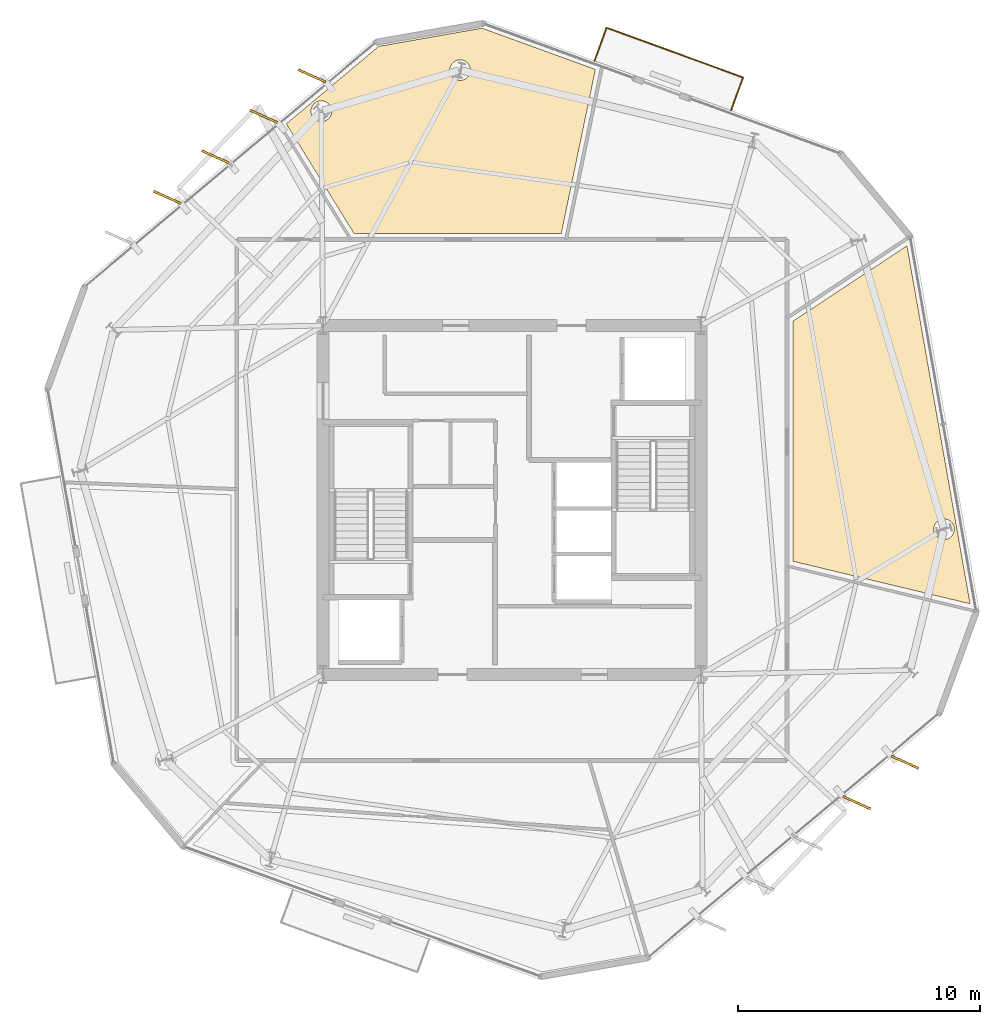
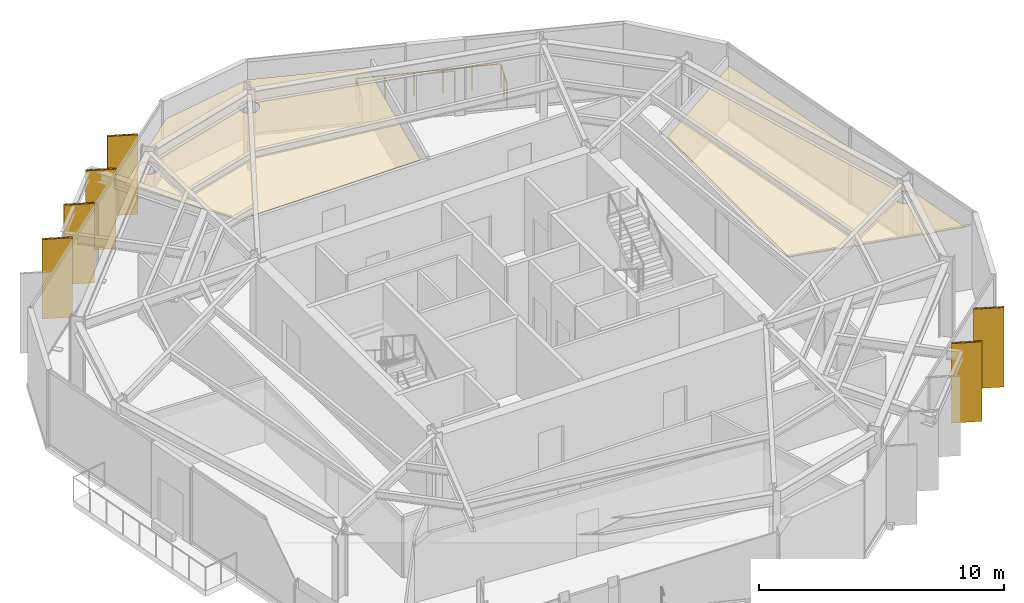
# One storey, part 11 of 11: 8 coverings, 6 shading devices, 1 railing.
"""IFC4 building model written with IfcOpenShell, lengths in metres."""

import ifcopenshell
import ifcopenshell.guid

model = None  # the IFC model being written
_history = None  # IfcOwnerHistory: only IFC2X3 demands one
_inside = {}  # id of a spatial element -> (the spatial element, [elements in it])
_under = {}  # id of a project, library or spatial element -> (it, [spatial elements below it])
_declared = {}  # id of a project -> (the project, [libraries it declares])
_typed = {}  # id of a type object -> (the type object, [elements of that type])
_made_of = {}  # id of a material, layer set ... -> (it, [elements and type objects made of it])


def new_model(schema):
    """Start an empty IFC model of exactly this schema.

    Asked for "IFC4X3", IfcOpenShell would pick the latest addendum, in which some entities
    have other attributes; the version numbers below select the first issue.
    IFC2X3 requires an IfcOwnerHistory on every rooted entity: one is made here for all.
    """
    global model, _history
    if schema == "IFC4X3":
        model = ifcopenshell.file(schema_version=(4, 3, 0, 0))
    else:
        model = ifcopenshell.file(schema=schema)
    _inside.clear()
    _under.clear()
    _declared.clear()
    _typed.clear()
    _made_of.clear()
    _history = None
    if model.schema == "IFC2X3":
        org = make("IfcOrganization", Name="unknown")
        user = make(
            "IfcPersonAndOrganization",
            ThePerson=make("IfcPerson", FamilyName="unknown"),
            TheOrganization=org,
        )
        app = make(
            "IfcApplication",
            ApplicationDeveloper=org,
            Version="unknown",
            ApplicationFullName="unknown",
            ApplicationIdentifier="unknown",
        )
        _history = make(
            "IfcOwnerHistory",
            OwningUser=user,
            OwningApplication=app,
            ChangeAction="ADDED",
            CreationDate=0,
        )
    return model


def make(cls, **values):
    """One entity of the class cls with the attributes given. An attribute that is None is left unset."""
    return model.create_entity(
        cls, **{name: value for name, value in values.items() if value is not None}
    )


def rooted(cls, **values):
    """An entity with a GlobalId (a new one), such as an element, a storey or a relation."""
    return make(cls, GlobalId=ifcopenshell.guid.new(), OwnerHistory=_history, **values)


def si_unit(unit_type, name, prefix=None):
    """IfcSIUnit, for example si_unit("LENGTHUNIT", "METRE", prefix="MILLI")."""
    return make("IfcSIUnit", UnitType=unit_type, Prefix=prefix, Name=name)


def assignment(units):
    """IfcUnitAssignment: the units of a project."""
    return None if units is None else make("IfcUnitAssignment", Units=units)


def point(xyz):
    """IfcCartesianPoint."""
    return None if xyz is None else make("IfcCartesianPoint", Coordinates=xyz)


def direction(xyz):
    """IfcDirection."""
    return None if xyz is None else make("IfcDirection", DirectionRatios=xyz)


def frame(location, z_axis=None, x_axis=None):
    """IfcAxis2Placement3D, a coordinate frame: its origin and axes. An axis left out is left unset."""
    return make(
        "IfcAxis2Placement3D",
        Location=point(location),
        Axis=direction(z_axis),
        RefDirection=direction(x_axis),
    )


def frame_2d(location, x_axis=None):
    """IfcAxis2Placement2D, a coordinate frame in the plane: its origin and x axis."""
    return make(
        "IfcAxis2Placement2D", Location=point(location), RefDirection=direction(x_axis)
    )


def origin():
    """The frame at (0, 0, 0) with its axes left unset."""
    return frame((0.0, 0.0, 0.0))


def origin_2d():
    """The frame at (0, 0) in the plane with its x axis left unset."""
    return frame_2d((0.0, 0.0))


def place(relative_to, where):
    """IfcLocalPlacement: puts the frame where relative to a parent placement (None: the world)."""
    return make(
        "IfcLocalPlacement", PlacementRelTo=relative_to, RelativePlacement=where
    )


def context(
    kind, dimensions, precision=None, world=None, true_north=None, identifier=None
):
    """IfcGeometricRepresentationContext, for example the 3D "Model" context."""
    return make(
        "IfcGeometricRepresentationContext",
        ContextIdentifier=identifier,
        ContextType=kind,
        CoordinateSpaceDimension=dimensions,
        Precision=precision,
        WorldCoordinateSystem=world,
        TrueNorth=true_north,
    )


def subcontext(parent, identifier, kind, view, scale=None):
    """IfcGeometricRepresentationSubContext, for example "Body" below "Model"."""
    return make(
        "IfcGeometricRepresentationSubContext",
        ContextIdentifier=identifier,
        ContextType=kind,
        ParentContext=parent,
        TargetScale=scale,
        TargetView=view,
    )


def project(units=None, contexts=None):
    """IfcProject with its units and contexts."""
    return rooted(
        "IfcProject",
        Name="project",
        RepresentationContexts=contexts,
        UnitsInContext=assignment(units),
    )


def spatial(cls, under=None, at=None, **own):
    """A site, building, storey or space (cls), placed at a placement, below another one or the project."""
    s = rooted(cls, ObjectPlacement=at, **own)
    if under is not None:
        _under.setdefault(under.id(), (under, []))[1].append(s)
    return s


def polyline(points):
    """IfcPolyline through the points."""
    return make("IfcPolyline", Points=[point(p) for p in points])


def profile(cls, at=None, kind="AREA", **sizes):
    """A parametric profile (cls). Its sizes go by their IFC names, for example OverallWidth=200.0."""
    return make(cls, ProfileType=kind, Position=at, **sizes)


def rectangle(**sizes):
    """IfcRectangleProfileDef."""
    return profile("IfcRectangleProfileDef", **sizes)


def circle(**sizes):
    """IfcCircleProfileDef."""
    return profile("IfcCircleProfileDef", **sizes)


def outline(outer, holes=None, kind="AREA"):
    """IfcArbitraryClosedProfileDef: a profile drawn as a closed curve; with holes, ...WithVoids."""
    if holes is None:
        return make("IfcArbitraryClosedProfileDef", ProfileType=kind, OuterCurve=outer)
    return make(
        "IfcArbitraryProfileDefWithVoids",
        ProfileType=kind,
        OuterCurve=outer,
        InnerCurves=holes,
    )


def extrude(swept, where, along, depth):
    """IfcExtrudedAreaSolid: the profile swept, set in the frame where, extruded along a direction by depth."""
    return make(
        "IfcExtrudedAreaSolid",
        SweptArea=swept,
        Position=where,
        ExtrudedDirection=direction(along),
        Depth=depth,
    )


def shape(context_of_items, identifier, shape_type, items):
    """IfcShapeRepresentation: the items that make up one representation, for example the "Body"."""
    return make(
        "IfcShapeRepresentation",
        ContextOfItems=context_of_items,
        RepresentationIdentifier=identifier,
        RepresentationType=shape_type,
        Items=items,
    )


def material(Name=None, Category=None):
    """IfcMaterial."""
    return make("IfcMaterial", Name=Name, Category=Category)


def layer(
    of_material, thickness, ventilated=None, Name=None, Category=None, Priority=None
):
    """IfcMaterialLayer: one layer of a wall or slab, of a material (None: an air gap)."""
    return make(
        "IfcMaterialLayer",
        Material=of_material,
        LayerThickness=thickness,
        IsVentilated=ventilated,
        Name=Name,
        Category=Category,
        Priority=Priority,
    )


def layer_set(layers, Name=None):
    """IfcMaterialLayerSet."""
    return make("IfcMaterialLayerSet", MaterialLayers=layers, LayerSetName=Name)


def made_of(thing, what):
    """Note that an element or type object is made of a material, layer set ...; save() writes the relation."""
    if what is not None:
        _made_of.setdefault(what.id(), (what, []))[1].append(thing)
    return thing


def type_object(cls, material=None, **own):
    """A type object (cls), such as IfcWallType, which elements share."""
    return made_of(rooted(cls, **own), material)


def element(
    cls,
    number,
    at=None,
    inside=None,
    cuts=None,
    type_object=None,
    material=None,
    context=None,
    identifier="Body",
    shape_type=None,
    held_by="IfcProductDefinitionShape",
    body=None,
    shapes=None,
    **own,
):
    """One element of the class cls, such as IfcWall. Its Tag is "e" and its number.

    at: its placement. inside: the storey or other place that contains it. cuts: it is an
    opening in that element (IfcRelVoidsElement). A single representation is given by context,
    identifier, shape_type and body (its items); several are given by shapes. held_by: the class
    of the entity that holds the representations. save() writes the other relations.
    """
    e = rooted(cls, Tag="e%d" % number, ObjectPlacement=at, **own)
    if body is not None:
        shapes = [shape(context, identifier, shape_type, body)]
    if shapes is not None:
        e.Representation = make(held_by, Representations=shapes)
    if inside is not None:
        _inside.setdefault(inside.id(), (inside, []))[1].append(e)
    if cuts is not None:
        rooted(
            "IfcRelVoidsElement", RelatingBuildingElement=cuts, RelatedOpeningElement=e
        )
    if type_object is not None:
        _typed.setdefault(type_object.id(), (type_object, []))[1].append(e)
    return made_of(e, material)


def aggregate(whole, parts):
    """IfcRelAggregates: a whole, such as a stair, and the parts it consists of."""
    return rooted("IfcRelAggregates", RelatingObject=whole, RelatedObjects=parts)


def save(model, path):
    """Write the relations noted so far, then the file.

    IfcRelAggregates (storeys below a building ...), IfcRelContainedInSpatialStructure (elements
    in a storey), IfcRelDefinesByType, IfcRelAssociatesMaterial and IfcRelDeclares: one each for
    every whole, place, type object, material and project.
    """
    for whole, parts in _under.values():
        aggregate(whole, parts)
    for where, things in _inside.values():
        rooted(
            "IfcRelContainedInSpatialStructure",
            RelatedElements=things,
            RelatingStructure=where,
        )
    for kind, things in _typed.values():
        rooted("IfcRelDefinesByType", RelatedObjects=things, RelatingType=kind)
    for what, things in _made_of.values():
        rooted("IfcRelAssociatesMaterial", RelatedObjects=things, RelatingMaterial=what)
    for by, libraries in _declared.values():
        rooted("IfcRelDeclares", RelatingContext=by, RelatedDefinitions=libraries)
    model.write(path)


model = new_model("IFC4")

# Units and contexts
model_context = context("Model", 3, precision=1e-05, world=origin(), true_north=direction((0.0, 1.0)))
body_context = subcontext(model_context, "Body", "Model", "MODEL_VIEW")
ifc_project = project(units=[si_unit("LENGTHUNIT", "METRE"), si_unit("AREAUNIT", "SQUARE_METRE"), si_unit("VOLUMEUNIT", "CUBIC_METRE"), si_unit("PLANEANGLEUNIT", "RADIAN"), si_unit("MASSUNIT", "GRAM", prefix="KILO")], contexts=[model_context])

# Site, building, storey
site_placement = place(None, origin())
site = spatial("IfcSite", under=ifc_project, at=site_placement, CompositionType="ELEMENT")
building_placement = place(site_placement, origin())
building = spatial("IfcBuilding", under=site, at=building_placement, Name="Kranzbogen Civic Tower", CompositionType="ELEMENT")
storey_placement = place(building_placement, frame((0.0, 0.0, 184.800048828125)))
storey = spatial("IfcBuildingStorey", under=building, at=storey_placement, Name="L44", CompositionType="ELEMENT", Elevation=184.800048828125)

# Coverings
ifc_material_1 = material(Name="Pale Anodised Aluminium", Category="aluminium")
ifc_layer_1 = layer(ifc_material_1, 0.02490234375, Name="Pale Anodised Aluminium")
ifc_layer_set_1 = layer_set([ifc_layer_1], Name="Pale Anodised Aluminium")
covering_type_1 = type_object("IfcCoveringType", Name="Anodised Aluminium Vertical Fin Cladding 25 mm", PredefinedType="CLADDING", material=ifc_layer_set_1)
for number, where, z_axis, x_axis, name in (
    (1, (16.7470703125, 42.50390625, -0.14013671875), (0.0, 0.0, 1.0), (-0.91100063367, 0.412404953235, 0.0), "L44 vertical fin pale-metal cladding F2-1"),
    (2, (14.7548828125, 40.8330078125, -0.14013671875), (0.0, 0.0, 1.0), (-0.91100063367, 0.412404953235, 0.0), "L44 vertical fin pale-metal cladding F2-2"),
    (3, (12.763916015625, 39.160888671875, -0.14013671875), (0.0, 0.0, 1.0), (-0.91100063367, 0.412404953235, 0.0), "L44 vertical fin pale-metal cladding F2-3"),
    (4, (10.77197265625, 37.489990234375, -0.14013671875), (0.0, 0.0, 1.0), (-0.91100063367, 0.412404953235, 0.0), "L44 vertical fin pale-metal cladding F2-4"),
    (5, (39.22802734375, 12.510009765625, -0.14013671875), (0.0, 0.0, 1.0), (0.91100063367, -0.412404953235, 0.0), "L44 vertical fin pale-metal cladding F5-4"),
    (6, (41.219970703125, 14.180908203125, -0.14013671875), (0.0, 0.0, 1.0), (0.91100063367, -0.412404953235, 0.0), "L44 vertical fin pale-metal cladding F5-5"),
):
    element("IfcCovering", number, at=place(storey_placement, frame(where, z_axis=z_axis, x_axis=x_axis)), inside=storey, type_object=covering_type_1, Name=name, PredefinedType="CLADDING", context=body_context, shape_type="SweptSolid", body=[
        extrude(rectangle(XDim=1.25, YDim=0.10009765625, at=origin_2d()), origin(), (0.0, 0.0, 1.0), 3.9599609375),
    ])

# Shading devices
ifc_material_2 = material(Name="Anodised Bronze Aluminium", Category="aluminium")
shading_device_type = type_object("IfcShadingDeviceType", Name="Anodised Bronze Vertical Facade Fin 1250x80", PredefinedType="USERDEFINED", material=ifc_material_2)
for number, where, z_axis, x_axis, name in (
    (7, (16.7470703125, 42.50390625, -0.14013671875), (0.0, 0.0, 1.0), (-0.91100063367, 0.412404953235, 0.0), "L44 vertical exterior shading fin F2-1"),
    (8, (14.7548828125, 40.8330078125, -0.14013671875), (0.0, 0.0, 1.0), (-0.91100063367, 0.412404953235, 0.0), "L44 vertical exterior shading fin F2-2"),
    (9, (12.763916015625, 39.160888671875, -0.14013671875), (0.0, 0.0, 1.0), (-0.91100063367, 0.412404953235, 0.0), "L44 vertical exterior shading fin F2-3"),
    (10, (10.77197265625, 37.489990234375, -0.14013671875), (0.0, 0.0, 1.0), (-0.91100063367, 0.412404953235, 0.0), "L44 vertical exterior shading fin F2-4"),
    (11, (39.22802734375, 12.510009765625, -0.14013671875), (0.0, 0.0, 1.0), (0.91100063367, -0.412404953235, 0.0), "L44 vertical exterior shading fin F5-4"),
    (12, (41.219970703125, 14.180908203125, -0.14013671875), (0.0, 0.0, 1.0), (0.91100063367, -0.412404953235, 0.0), "L44 vertical exterior shading fin F5-5"),
):
    element("IfcShadingDevice", number, at=place(storey_placement, frame(where, z_axis=z_axis, x_axis=x_axis)), inside=storey, type_object=shading_device_type, Name=name, ObjectType="FIN", PredefinedType="USERDEFINED", context=body_context, shape_type="SweptSolid", body=[
        extrude(rectangle(XDim=1.25, YDim=0.080078125, at=origin_2d()), origin(), (0.0, 0.0, 1.0), 3.9599609375),
    ])

# Railing
railing_type = type_object("IfcRailingType", Name="Cantilevered Balcony Glass and Bronze Balustrade 1200", PredefinedType="BALUSTRADE", material=ifc_material_2)
railing_placement = place(storey_placement, frame((34.0439453125, 41.075927734375, 0.0)))
element("IfcRailing", 13, at=railing_placement, inside=storey, type_object=railing_type, Name="L44 exterior terrace balustrade L44-TB2", PredefinedType="BALUSTRADE", context=body_context, shape_type="SweptSolid", body=[
    extrude(circle(Radius=0.02392578125, at=origin_2d()), frame((0.0, 0.0, 1.17578125), z_axis=(0.342013333644, 0.939695099279, 0.0), x_axis=(-0.939695099279, 0.342013333644, 0.0)), (0.0, 0.0, 1.0), 1.450439453125),
    extrude(circle(Radius=0.02392578125, at=origin_2d()), frame((0.49609375, 1.363037109375, 1.17578125), z_axis=(-0.939694773679, 0.342014228241, 0.0), x_axis=(-0.342014228241, -0.939694773679, 0.0)), (0.0, 0.0, 1.0), 5.999755859375),
    extrude(circle(Radius=0.02392578125, at=origin_2d()), frame((-5.141845703125, 3.4150390625, 1.17578125), z_axis=(-0.342013333644, -0.939695099279, 0.0), x_axis=(0.939695099279, -0.342013333644, 0.0)), (0.0, 0.0, 1.0), 1.450439453125),
    extrude(circle(Radius=0.02099609375, at=origin_2d()), origin(), (0.0, 0.0, 1.0), 1.15185546875),
    extrude(circle(Radius=0.02099609375, at=origin_2d()), frame((0.248046875, 0.681640625, 0.0)), (0.0, 0.0, 1.0), 1.15185546875),
    extrude(circle(Radius=0.02099609375, at=origin_2d()), frame((0.49609375, 1.363037109375, 0.0)), (0.0, 0.0, 1.0), 1.15185546875),
    extrude(circle(Radius=0.02099609375, at=origin_2d()), frame((-0.631591796875, 1.7734375, 0.0)), (0.0, 0.0, 1.0), 1.15185546875),
    extrude(circle(Radius=0.02099609375, at=origin_2d()), frame((-1.759033203125, 2.183837890625, 0.0)), (0.0, 0.0, 1.0), 1.15185546875),
    extrude(circle(Radius=0.02099609375, at=origin_2d()), frame((-2.88671875, 2.59423828125, 0.0)), (0.0, 0.0, 1.0), 1.15185546875),
    extrude(circle(Radius=0.02099609375, at=origin_2d()), frame((-4.01416015625, 3.004638671875, 0.0)), (0.0, 0.0, 1.0), 1.15185546875),
    extrude(circle(Radius=0.02099609375, at=origin_2d()), frame((-5.141845703125, 3.4150390625, 0.0)), (0.0, 0.0, 1.0), 1.15185546875),
    extrude(circle(Radius=0.02099609375, at=origin_2d()), frame((-5.389892578125, 2.7333984375, 0.0)), (0.0, 0.0, 1.0), 1.15185546875),
    extrude(circle(Radius=0.02099609375, at=origin_2d()), frame((-5.637939453125, 2.052001953125, 0.0)), (0.0, 0.0, 1.0), 1.15185546875),
])

# Coverings
ifc_material_3 = material(Name="Perforated Acoustic Gypsum Ceiling")
ifc_layer_2 = layer(ifc_material_3, 0.02490234375, Name="Perforated Acoustic Gypsum Ceiling")
ifc_layer_set_2 = layer_set([ifc_layer_2], Name="Perforated Acoustic Gypsum Ceiling")
covering_type_2 = type_object("IfcCoveringType", Name="Perforated Acoustic Mineral Ceiling Tile 25 mm", PredefinedType="CEILING", material=ifc_layer_set_2)
covering_1_placement = place(storey_placement, frame((0.0, 0.0, 2.89990234375)))
element("IfcCovering", 14, at=covering_1_placement, inside=storey, type_object=covering_type_2, Name="L44 Central Mail Post Room acoustic ceiling", PredefinedType="CEILING", context=body_context, shape_type="SweptSolid", body=[
    extrude(outline(polyline([(36.594970703125, 22.470947265625), (36.594970703125, 32.3779296875), (41.301025390625, 35.490966796875), (43.906005859375, 20.717041015625), (36.594970703125, 22.470947265625)]), holes=[polyline([(43.220947265625, 23.6279296875), (43.202880859375, 23.590087890625), (43.181884765625, 23.554931640625), (43.156982421875, 23.52099609375), (43.12890625, 23.489990234375), (43.097900390625, 23.4619140625), (43.06396484375, 23.43701171875), (43.029052734375, 23.416015625), (42.990966796875, 23.39794921875), (42.951904296875, 23.384033203125), (42.910888671875, 23.3740234375), (42.8701171875, 23.367919921875), (42.827880859375, 23.365966796875), (42.785888671875, 23.367919921875), (42.7451171875, 23.3740234375), (42.7041015625, 23.384033203125), (42.6650390625, 23.39794921875), (42.626953125, 23.416015625), (42.592041015625, 23.43701171875), (42.55810546875, 23.4619140625), (42.527099609375, 23.489990234375), (42.4990234375, 23.52099609375), (42.47412109375, 23.554931640625), (42.452880859375, 23.590087890625), (42.43505859375, 23.6279296875), (42.4208984375, 23.6669921875), (42.410888671875, 23.7080078125), (42.405029296875, 23.7490234375), (42.403076171875, 23.791015625), (42.405029296875, 23.8330078125), (42.410888671875, 23.8740234375), (42.4208984375, 23.9150390625), (42.43505859375, 23.9541015625), (42.452880859375, 23.991943359375), (42.47412109375, 24.027099609375), (42.4990234375, 24.06103515625), (42.527099609375, 24.092041015625), (42.55810546875, 24.1201171875), (42.592041015625, 24.14501953125), (42.626953125, 24.166015625), (42.6650390625, 24.18408203125), (42.7041015625, 24.197998046875), (42.7451171875, 24.2080078125), (42.785888671875, 24.214111328125), (42.827880859375, 24.216064453125), (42.8701171875, 24.214111328125), (42.910888671875, 24.2080078125), (42.951904296875, 24.197998046875), (42.990966796875, 24.18408203125), (43.029052734375, 24.166015625), (43.06396484375, 24.14501953125), (43.097900390625, 24.1201171875), (43.12890625, 24.092041015625), (43.156982421875, 24.06103515625), (43.181884765625, 24.027099609375), (43.202880859375, 23.991943359375), (43.220947265625, 23.9541015625), (43.235107421875, 23.9150390625), (43.2451171875, 23.8740234375), (43.2509765625, 23.8330078125), (43.2529296875, 23.791015625), (43.2509765625, 23.7490234375), (43.2451171875, 23.7080078125), (43.235107421875, 23.6669921875), (43.220947265625, 23.6279296875)])]), origin(), (0.0, 0.0, 1.0), 0.025146484375),
])
covering_2_placement = place(storey_placement, frame((0.0, 0.0, 2.89990234375)))
element("IfcCovering", 15, at=covering_2_placement, inside=storey, type_object=covering_type_2, Name="L44 Citizen Services Kiosk acoustic ceiling", PredefinedType="CEILING", context=body_context, shape_type="SweptSolid", body=[
    extrude(outline(polyline([(23.762939453125, 44.472900390625), (28.443115234375, 42.76904296875), (27.034912109375, 35.9951171875), (18.486083984375, 35.9951171875), (15.68701171875, 40.52001953125), (19.501953125, 43.720947265625), (23.762939453125, 44.472900390625)]), holes=[polyline([(17.52587890625, 40.881103515625), (17.508056640625, 40.843017578125), (17.487060546875, 40.80810546875), (17.4619140625, 40.77392578125), (17.43408203125, 40.742919921875), (17.403076171875, 40.715087890625), (17.368896484375, 40.68994140625), (17.333984375, 40.6689453125), (17.2958984375, 40.65087890625), (17.257080078125, 40.636962890625), (17.216064453125, 40.626953125), (17.175048828125, 40.62109375), (17.133056640625, 40.618896484375), (17.091064453125, 40.62109375), (17.050048828125, 40.626953125), (17.009033203125, 40.636962890625), (16.969970703125, 40.65087890625), (16.931884765625, 40.6689453125), (16.89697265625, 40.68994140625), (16.863037109375, 40.715087890625), (16.83203125, 40.742919921875), (16.803955078125, 40.77392578125), (16.779052734375, 40.80810546875), (16.758056640625, 40.843017578125), (16.739990234375, 40.881103515625), (16.72607421875, 40.919921875), (16.716064453125, 40.9609375), (16.7099609375, 41.001953125), (16.7080078125, 41.0439453125), (16.7099609375, 41.0859375), (16.716064453125, 41.126953125), (16.72607421875, 41.16796875), (16.739990234375, 41.20703125), (16.758056640625, 41.2451171875), (16.779052734375, 41.280029296875), (16.803955078125, 41.31396484375), (16.83203125, 41.344970703125), (16.863037109375, 41.373046875), (16.89697265625, 41.39794921875), (16.931884765625, 41.4189453125), (16.969970703125, 41.43701171875), (17.009033203125, 41.450927734375), (17.050048828125, 41.4609375), (17.091064453125, 41.467041015625), (17.133056640625, 41.468994140625), (17.175048828125, 41.467041015625), (17.216064453125, 41.4609375), (17.257080078125, 41.450927734375), (17.2958984375, 41.43701171875), (17.333984375, 41.4189453125), (17.368896484375, 41.39794921875), (17.403076171875, 41.373046875), (17.43408203125, 41.344970703125), (17.4619140625, 41.31396484375), (17.487060546875, 41.280029296875), (17.508056640625, 41.2451171875), (17.52587890625, 41.20703125), (17.5400390625, 41.16796875), (17.550048828125, 41.126953125), (17.555908203125, 41.0859375), (17.55810546875, 41.0439453125), (17.555908203125, 41.001953125), (17.550048828125, 40.9609375), (17.5400390625, 40.919921875), (17.52587890625, 40.881103515625)]), polyline([(23.2529296875, 42.576904296875), (23.235107421875, 42.5390625), (23.214111328125, 42.50390625), (23.18896484375, 42.469970703125), (23.160888671875, 42.43896484375), (23.1298828125, 42.410888671875), (23.095947265625, 42.385986328125), (23.06103515625, 42.364990234375), (23.02294921875, 42.346923828125), (22.98388671875, 42.3330078125), (22.943115234375, 42.322998046875), (22.902099609375, 42.31689453125), (22.860107421875, 42.31494140625), (22.818115234375, 42.31689453125), (22.777099609375, 42.322998046875), (22.736083984375, 42.3330078125), (22.697021484375, 42.346923828125), (22.658935546875, 42.364990234375), (22.6240234375, 42.385986328125), (22.590087890625, 42.410888671875), (22.55908203125, 42.43896484375), (22.531005859375, 42.469970703125), (22.506103515625, 42.50390625), (22.485107421875, 42.5390625), (22.467041015625, 42.576904296875), (22.452880859375, 42.615966796875), (22.443115234375, 42.656982421875), (22.43701171875, 42.697998046875), (22.43505859375, 42.739990234375), (22.43701171875, 42.781982421875), (22.443115234375, 42.822998046875), (22.452880859375, 42.864013671875), (22.467041015625, 42.903076171875), (22.485107421875, 42.94091796875), (22.506103515625, 42.97607421875), (22.531005859375, 43.010009765625), (22.55908203125, 43.041015625), (22.590087890625, 43.069091796875), (22.6240234375, 43.093994140625), (22.658935546875, 43.114990234375), (22.697021484375, 43.133056640625), (22.736083984375, 43.14697265625), (22.777099609375, 43.156982421875), (22.818115234375, 43.1630859375), (22.860107421875, 43.1650390625), (22.902099609375, 43.1630859375), (22.943115234375, 43.156982421875), (22.98388671875, 43.14697265625), (23.02294921875, 43.133056640625), (23.06103515625, 43.114990234375), (23.095947265625, 43.093994140625), (23.1298828125, 43.069091796875), (23.160888671875, 43.041015625), (23.18896484375, 43.010009765625), (23.214111328125, 42.97607421875), (23.235107421875, 42.94091796875), (23.2529296875, 42.903076171875), (23.26708984375, 42.864013671875), (23.277099609375, 42.822998046875), (23.282958984375, 42.781982421875), (23.284912109375, 42.739990234375), (23.282958984375, 42.697998046875), (23.277099609375, 42.656982421875), (23.26708984375, 42.615966796875), (23.2529296875, 42.576904296875)])]), origin(), (0.0, 0.0, 1.0), 0.025146484375),
])

save(model, "model.ifc")
